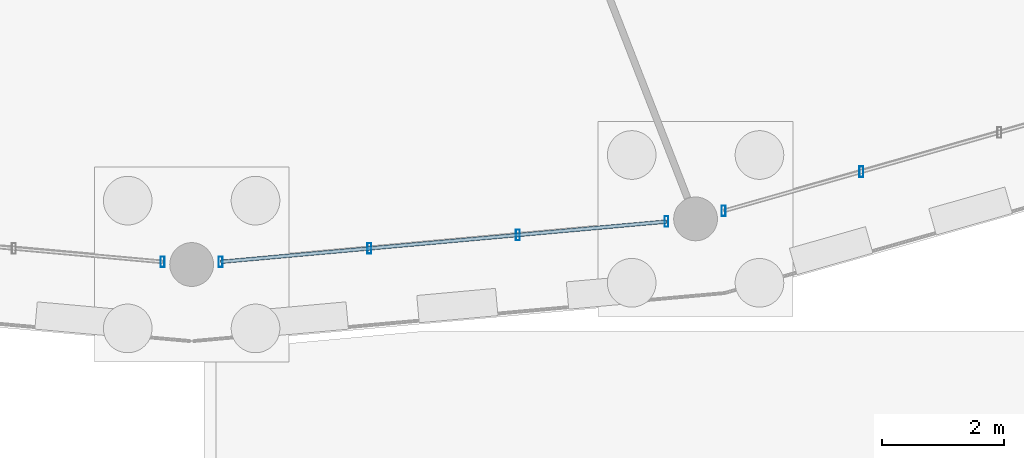
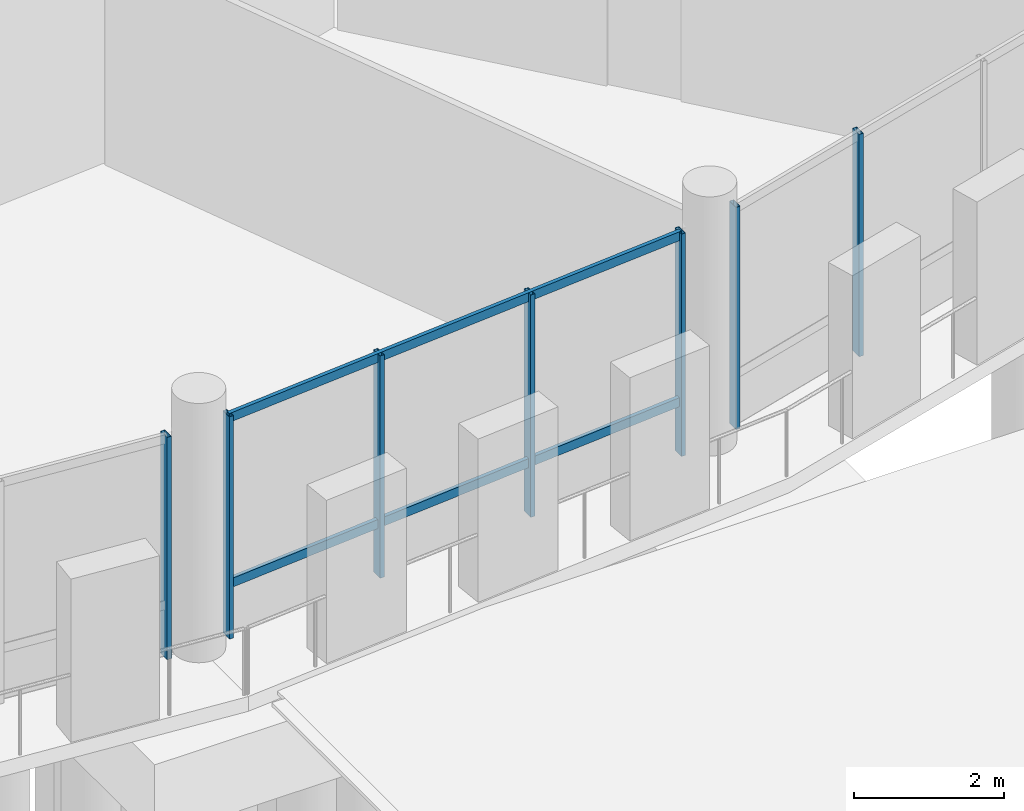
# One storey, part 35 of 98: 9 members, 3 elements without a shape of their own.
"""IFC4 building model written with IfcOpenShell, lengths in metres."""

from ifc_helpers import new_model, si_unit, direction, frame, origin, origin_2d, place, context, subcontext, project, spatial, hollow_rectangle, extrude, material, material_profile, profile_set, type_object, element, aggregate, save


model = new_model("IFC4")

# Units and contexts
model_context = context("Model", 3, precision=1e-05, world=origin(), true_north=direction((0.0, 1.0)))
body_context = subcontext(model_context, "Body", "Model", "MODEL_VIEW")
ifc_project = project(units=[si_unit("LENGTHUNIT", "METRE"), si_unit("AREAUNIT", "SQUARE_METRE"), si_unit("VOLUMEUNIT", "CUBIC_METRE"), si_unit("PLANEANGLEUNIT", "RADIAN"), si_unit("MASSUNIT", "GRAM", prefix="KILO")], contexts=[model_context])

# Site, building, storey
site_placement = place(None, origin())
site = spatial("IfcSite", under=ifc_project, at=site_placement, CompositionType="ELEMENT")
building_placement = place(site_placement, origin())
building = spatial("IfcBuilding", under=site, at=building_placement, Name="Zornivar Specialist Clinic", CompositionType="ELEMENT")
storey_placement = place(building_placement, origin())
storey = spatial("IfcBuildingStorey", under=building, at=storey_placement, Name="L00", CompositionType="ELEMENT", Elevation=0.0)

# Curtain wall, member
ifc_material_1 = material(Name="Aluminium and Low-E Glass Curtain Wall", Category="aluminium")
curtain_wall_type = type_object("IfcCurtainWallType", Name="CW-DRUM-FACET", PredefinedType="NOTDEFINED", material=ifc_material_1)
curtain_wall_1_placement = place(storey_placement, origin())
curtain_wall_1 = element("IfcCurtainWall", 1, at=curtain_wall_1_placement, inside=storey, type_object=curtain_wall_type, Name="cw:V1:L00:c17", PredefinedType="NOTDEFINED")
ifc_material_2 = material(Name="Aluminium AW-6060", Category="aluminium")
ifc_material_profile_1 = material_profile(ifc_material_2, hollow_rectangle(XDim=0.06494140625, YDim=0.175048828125, WallThickness=0.00439453125, at=origin_2d()), Name="ALU 65x175x4.5")
ifc_profile_set_1 = profile_set([ifc_material_profile_1], Name="Aluminium AW-6060")
member_type_1 = type_object("IfcMemberType", Name="CWM-MUL-175", PredefinedType="MULLION", material=ifc_profile_set_1)
member_1_placement = place(storey_placement, frame((93.1220703125, 35.64306640625, 0.0), z_axis=(0.0, 0.0, 1.0), x_axis=(1.0, 0.0, 0.0)))
member_1 = element("IfcMember", 2, at=member_1_placement, type_object=member_type_1, Name="cw:V1:L00:c17:mul:3", PredefinedType="MULLION", context=body_context, shape_type="SweptSolid", body=[
    extrude(hollow_rectangle(XDim=0.06494140625, YDim=0.175048828125, WallThickness=0.00439453125, at=origin_2d()), origin(), (0.0, 0.0, 1.0), 3.610107421875),
])
aggregate(curtain_wall_1, [member_1])

# Curtain wall, members
curtain_wall_2_placement = place(storey_placement, origin())
curtain_wall_2 = element("IfcCurtainWall", 3, at=curtain_wall_2_placement, inside=storey, type_object=curtain_wall_type, Name="cw:V1:L00:c18", PredefinedType="NOTDEFINED")
member_2_placement = place(storey_placement, frame((94.077880859375, 35.64404296875, 0.0), z_axis=(0.0, 0.0, 1.0), x_axis=(1.0, 0.0, 0.0)))
member_2 = element("IfcMember", 4, at=member_2_placement, type_object=member_type_1, Name="cw:V1:L00:c18:mul:0", PredefinedType="MULLION", context=body_context, shape_type="SweptSolid", body=[
    extrude(hollow_rectangle(XDim=0.06494140625, YDim=0.175048828125, WallThickness=0.00439453125, at=origin_2d()), origin(), (0.0, 0.0, 1.0), 3.610107421875),
])
member_3_placement = place(storey_placement, frame((96.52001953125, 35.864990234375, 0.0), z_axis=(0.0, 0.0, 1.0), x_axis=(1.0, 0.0, 0.0)))
member_3 = element("IfcMember", 5, at=member_3_placement, type_object=member_type_1, Name="cw:V1:L00:c18:mul:1", PredefinedType="MULLION", context=body_context, shape_type="SweptSolid", body=[
    extrude(hollow_rectangle(XDim=0.06494140625, YDim=0.175048828125, WallThickness=0.00439453125, at=origin_2d()), origin(), (0.0, 0.0, 1.0), 3.610107421875),
])
member_4_placement = place(storey_placement, frame((98.9619140625, 36.0859375, 0.0), z_axis=(0.0, 0.0, 1.0), x_axis=(1.0, 0.0, 0.0)))
member_4 = element("IfcMember", 6, at=member_4_placement, type_object=member_type_1, Name="cw:V1:L00:c18:mul:2", PredefinedType="MULLION", context=body_context, shape_type="SweptSolid", body=[
    extrude(hollow_rectangle(XDim=0.06494140625, YDim=0.175048828125, WallThickness=0.00439453125, at=origin_2d()), origin(), (0.0, 0.0, 1.0), 3.610107421875),
])
member_5_placement = place(storey_placement, frame((101.404052734375, 36.306884765625, 0.0), z_axis=(0.0, 0.0, 1.0), x_axis=(1.0, 0.0, 0.0)))
member_5 = element("IfcMember", 7, at=member_5_placement, type_object=member_type_1, Name="cw:V1:L00:c18:mul:3", PredefinedType="MULLION", context=body_context, shape_type="SweptSolid", body=[
    extrude(hollow_rectangle(XDim=0.06494140625, YDim=0.175048828125, WallThickness=0.00439453125, at=origin_2d()), origin(), (0.0, 0.0, 1.0), 3.610107421875),
])

curtain_wall_3_placement = place(storey_placement, origin())
curtain_wall_3 = element("IfcCurtainWall", 8, at=curtain_wall_3_placement, inside=storey, type_object=curtain_wall_type, Name="cw:V1:L00:c19", PredefinedType="NOTDEFINED")
member_6_placement = place(storey_placement, frame((102.343017578125, 36.48095703125, 0.0), z_axis=(0.0, 0.0, 1.0), x_axis=(1.0, 0.0, 0.0)))
member_6 = element("IfcMember", 9, at=member_6_placement, type_object=member_type_1, Name="cw:V1:L00:c19:mul:0", PredefinedType="MULLION", context=body_context, shape_type="SweptSolid", body=[
    extrude(hollow_rectangle(XDim=0.06494140625, YDim=0.175048828125, WallThickness=0.00439453125, at=origin_2d()), origin(), (0.0, 0.0, 1.0), 3.610107421875),
])
member_7_placement = place(storey_placement, frame((104.60791015625, 37.1259765625, 0.0), z_axis=(0.0, 0.0, 1.0), x_axis=(1.0, 0.0, 0.0)))
member_7 = element("IfcMember", 10, at=member_7_placement, type_object=member_type_1, Name="cw:V1:L00:c19:mul:1", PredefinedType="MULLION", context=body_context, shape_type="SweptSolid", body=[
    extrude(hollow_rectangle(XDim=0.06494140625, YDim=0.175048828125, WallThickness=0.00439453125, at=origin_2d()), origin(), (0.0, 0.0, 1.0), 3.610107421875),
])
aggregate(curtain_wall_3, [member_6, member_7])

# Member
ifc_material_3 = material(Name="Aluminium AW-6060", Category="aluminium")
ifc_material_profile_2 = material_profile(ifc_material_3, hollow_rectangle(XDim=0.06005859375, YDim=0.14501953125, WallThickness=0.00390625, at=origin_2d()), Name="ALU 60x145x4")
ifc_profile_set_2 = profile_set([ifc_material_profile_2], Name="Aluminium AW-6060")
member_type_2 = type_object("IfcMemberType", Name="CWM-TRN-145", PredefinedType="USERDEFINED", material=ifc_profile_set_2)
member_8_placement = place(storey_placement, frame((94.077880859375, 35.64404296875, 0.85009765625), z_axis=(0.995943921343, 0.089976138722, 0.0), x_axis=(-0.089976138722, 0.995943921343, 0.0)))
member_8 = element("IfcMember", 11, at=member_8_placement, type_object=member_type_2, Name="cw:V1:L00:c18:trn:0", ObjectType="TRANSOM", PredefinedType="USERDEFINED", context=body_context, shape_type="SweptSolid", body=[
    extrude(hollow_rectangle(XDim=0.06005859375, YDim=0.14501953125, WallThickness=0.00390625, at=origin_2d()), origin(), (0.0, 0.0, 1.0), 7.35595703125),
])

member_9_placement = place(storey_placement, frame((94.077880859375, 35.64404296875, 3.544921875), z_axis=(0.995943921343, 0.089976138722, 0.0), x_axis=(-0.089976138722, 0.995943921343, 0.0)))
member_9 = element("IfcMember", 12, at=member_9_placement, type_object=member_type_2, Name="cw:V1:L00:c18:trn:1", ObjectType="TRANSOM", PredefinedType="USERDEFINED", context=body_context, shape_type="SweptSolid", body=[
    extrude(hollow_rectangle(XDim=0.06005859375, YDim=0.14501953125, WallThickness=0.00390625, at=origin_2d()), origin(), (0.0, 0.0, 1.0), 7.35595703125),
])

aggregate(curtain_wall_2, [member_2, member_3, member_4, member_5, member_8, member_9])

save(model, "model.ifc")
